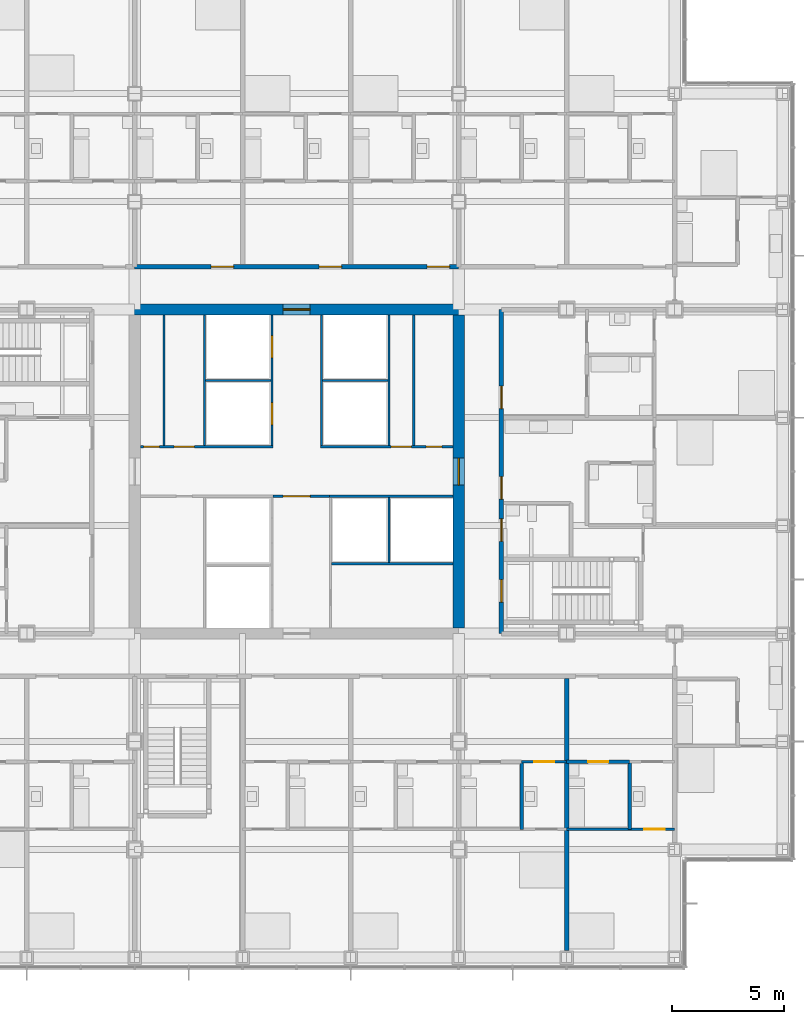
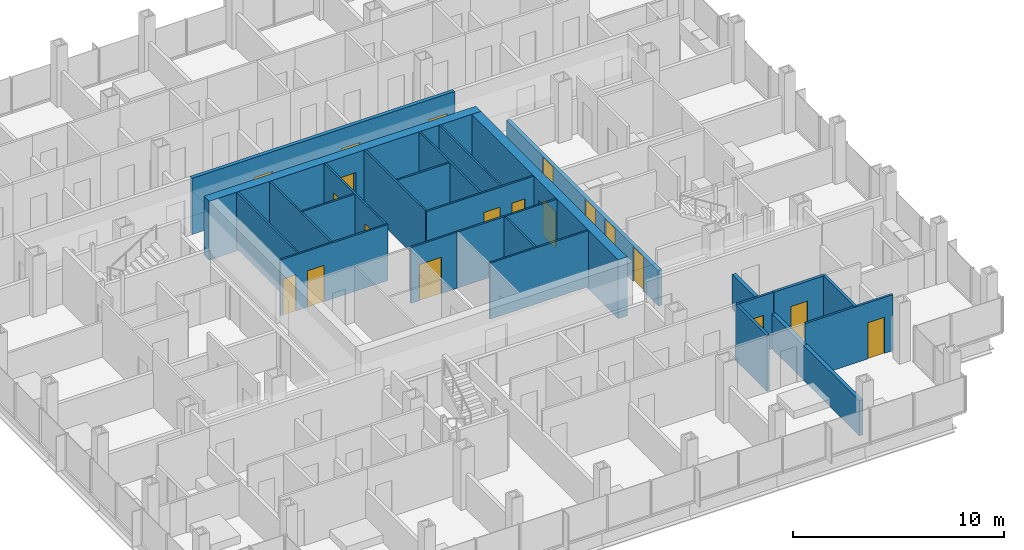
# One storey, part 16 of 22: 24 walls, 19 doors, 19 openings.
"""IFC4 building model written with IfcOpenShell, lengths in metres."""

import ifcopenshell
import ifcopenshell.guid

model = None  # the IFC model being written
_history = None  # IfcOwnerHistory: only IFC2X3 demands one
_inside = {}  # id of a spatial element -> (the spatial element, [elements in it])
_under = {}  # id of a project, library or spatial element -> (it, [spatial elements below it])
_declared = {}  # id of a project -> (the project, [libraries it declares])
_typed = {}  # id of a type object -> (the type object, [elements of that type])
_made_of = {}  # id of a material, layer set ... -> (it, [elements and type objects made of it])


def new_model(schema):
    """Start an empty IFC model of exactly this schema.

    Asked for "IFC4X3", IfcOpenShell would pick the latest addendum, in which some entities
    have other attributes; the version numbers below select the first issue.
    IFC2X3 requires an IfcOwnerHistory on every rooted entity: one is made here for all.
    """
    global model, _history
    if schema == "IFC4X3":
        model = ifcopenshell.file(schema_version=(4, 3, 0, 0))
    else:
        model = ifcopenshell.file(schema=schema)
    _inside.clear()
    _under.clear()
    _declared.clear()
    _typed.clear()
    _made_of.clear()
    _history = None
    if model.schema == "IFC2X3":
        org = make("IfcOrganization", Name="unknown")
        user = make(
            "IfcPersonAndOrganization",
            ThePerson=make("IfcPerson", FamilyName="unknown"),
            TheOrganization=org,
        )
        app = make(
            "IfcApplication",
            ApplicationDeveloper=org,
            Version="unknown",
            ApplicationFullName="unknown",
            ApplicationIdentifier="unknown",
        )
        _history = make(
            "IfcOwnerHistory",
            OwningUser=user,
            OwningApplication=app,
            ChangeAction="ADDED",
            CreationDate=0,
        )
    return model


def make(cls, **values):
    """One entity of the class cls with the attributes given. An attribute that is None is left unset."""
    return model.create_entity(
        cls, **{name: value for name, value in values.items() if value is not None}
    )


def rooted(cls, **values):
    """An entity with a GlobalId (a new one), such as an element, a storey or a relation."""
    return make(cls, GlobalId=ifcopenshell.guid.new(), OwnerHistory=_history, **values)


def si_unit(unit_type, name, prefix=None):
    """IfcSIUnit, for example si_unit("LENGTHUNIT", "METRE", prefix="MILLI")."""
    return make("IfcSIUnit", UnitType=unit_type, Prefix=prefix, Name=name)


def assignment(units):
    """IfcUnitAssignment: the units of a project."""
    return None if units is None else make("IfcUnitAssignment", Units=units)


def point(xyz):
    """IfcCartesianPoint."""
    return None if xyz is None else make("IfcCartesianPoint", Coordinates=xyz)


def direction(xyz):
    """IfcDirection."""
    return None if xyz is None else make("IfcDirection", DirectionRatios=xyz)


def frame(location, z_axis=None, x_axis=None):
    """IfcAxis2Placement3D, a coordinate frame: its origin and axes. An axis left out is left unset."""
    return make(
        "IfcAxis2Placement3D",
        Location=point(location),
        Axis=direction(z_axis),
        RefDirection=direction(x_axis),
    )


def frame_2d(location, x_axis=None):
    """IfcAxis2Placement2D, a coordinate frame in the plane: its origin and x axis."""
    return make(
        "IfcAxis2Placement2D", Location=point(location), RefDirection=direction(x_axis)
    )


def origin():
    """The frame at (0, 0, 0) with its axes left unset."""
    return frame((0.0, 0.0, 0.0))


def place(relative_to, where):
    """IfcLocalPlacement: puts the frame where relative to a parent placement (None: the world)."""
    return make(
        "IfcLocalPlacement", PlacementRelTo=relative_to, RelativePlacement=where
    )


def context(
    kind, dimensions, precision=None, world=None, true_north=None, identifier=None
):
    """IfcGeometricRepresentationContext, for example the 3D "Model" context."""
    return make(
        "IfcGeometricRepresentationContext",
        ContextIdentifier=identifier,
        ContextType=kind,
        CoordinateSpaceDimension=dimensions,
        Precision=precision,
        WorldCoordinateSystem=world,
        TrueNorth=true_north,
    )


def subcontext(parent, identifier, kind, view, scale=None):
    """IfcGeometricRepresentationSubContext, for example "Body" below "Model"."""
    return make(
        "IfcGeometricRepresentationSubContext",
        ContextIdentifier=identifier,
        ContextType=kind,
        ParentContext=parent,
        TargetScale=scale,
        TargetView=view,
    )


def project(units=None, contexts=None):
    """IfcProject with its units and contexts."""
    return rooted(
        "IfcProject",
        Name="project",
        RepresentationContexts=contexts,
        UnitsInContext=assignment(units),
    )


def spatial(cls, under=None, at=None, **own):
    """A site, building, storey or space (cls), placed at a placement, below another one or the project."""
    s = rooted(cls, ObjectPlacement=at, **own)
    if under is not None:
        _under.setdefault(under.id(), (under, []))[1].append(s)
    return s


def profile(cls, at=None, kind="AREA", **sizes):
    """A parametric profile (cls). Its sizes go by their IFC names, for example OverallWidth=200.0."""
    return make(cls, ProfileType=kind, Position=at, **sizes)


def rectangle(**sizes):
    """IfcRectangleProfileDef."""
    return profile("IfcRectangleProfileDef", **sizes)


def extrude(swept, where, along, depth):
    """IfcExtrudedAreaSolid: the profile swept, set in the frame where, extruded along a direction by depth."""
    return make(
        "IfcExtrudedAreaSolid",
        SweptArea=swept,
        Position=where,
        ExtrudedDirection=direction(along),
        Depth=depth,
    )


def shape(context_of_items, identifier, shape_type, items):
    """IfcShapeRepresentation: the items that make up one representation, for example the "Body"."""
    return make(
        "IfcShapeRepresentation",
        ContextOfItems=context_of_items,
        RepresentationIdentifier=identifier,
        RepresentationType=shape_type,
        Items=items,
    )


def material(Name=None, Category=None):
    """IfcMaterial."""
    return make("IfcMaterial", Name=Name, Category=Category)


def layer(
    of_material, thickness, ventilated=None, Name=None, Category=None, Priority=None
):
    """IfcMaterialLayer: one layer of a wall or slab, of a material (None: an air gap)."""
    return make(
        "IfcMaterialLayer",
        Material=of_material,
        LayerThickness=thickness,
        IsVentilated=ventilated,
        Name=Name,
        Category=Category,
        Priority=Priority,
    )


def layer_set(layers, Name=None):
    """IfcMaterialLayerSet."""
    return make("IfcMaterialLayerSet", MaterialLayers=layers, LayerSetName=Name)


def made_of(thing, what):
    """Note that an element or type object is made of a material, layer set ...; save() writes the relation."""
    if what is not None:
        _made_of.setdefault(what.id(), (what, []))[1].append(thing)
    return thing


def type_object(cls, material=None, **own):
    """A type object (cls), such as IfcWallType, which elements share."""
    return made_of(rooted(cls, **own), material)


def element(
    cls,
    number,
    at=None,
    inside=None,
    cuts=None,
    type_object=None,
    material=None,
    context=None,
    identifier="Body",
    shape_type=None,
    held_by="IfcProductDefinitionShape",
    body=None,
    shapes=None,
    **own,
):
    """One element of the class cls, such as IfcWall. Its Tag is "e" and its number.

    at: its placement. inside: the storey or other place that contains it. cuts: it is an
    opening in that element (IfcRelVoidsElement). A single representation is given by context,
    identifier, shape_type and body (its items); several are given by shapes. held_by: the class
    of the entity that holds the representations. save() writes the other relations.
    """
    e = rooted(cls, Tag="e%d" % number, ObjectPlacement=at, **own)
    if body is not None:
        shapes = [shape(context, identifier, shape_type, body)]
    if shapes is not None:
        e.Representation = make(held_by, Representations=shapes)
    if inside is not None:
        _inside.setdefault(inside.id(), (inside, []))[1].append(e)
    if cuts is not None:
        rooted(
            "IfcRelVoidsElement", RelatingBuildingElement=cuts, RelatedOpeningElement=e
        )
    if type_object is not None:
        _typed.setdefault(type_object.id(), (type_object, []))[1].append(e)
    return made_of(e, material)


def fill(opening, filler):
    """IfcRelFillsElement: the door or window that sits in an opening."""
    return rooted(
        "IfcRelFillsElement",
        RelatingOpeningElement=opening,
        RelatedBuildingElement=filler,
    )


def aggregate(whole, parts):
    """IfcRelAggregates: a whole, such as a stair, and the parts it consists of."""
    return rooted("IfcRelAggregates", RelatingObject=whole, RelatedObjects=parts)


def save(model, path):
    """Write the relations noted so far, then the file.

    IfcRelAggregates (storeys below a building ...), IfcRelContainedInSpatialStructure (elements
    in a storey), IfcRelDefinesByType, IfcRelAssociatesMaterial and IfcRelDeclares: one each for
    every whole, place, type object, material and project.
    """
    for whole, parts in _under.values():
        aggregate(whole, parts)
    for where, things in _inside.values():
        rooted(
            "IfcRelContainedInSpatialStructure",
            RelatedElements=things,
            RelatingStructure=where,
        )
    for kind, things in _typed.values():
        rooted("IfcRelDefinesByType", RelatedObjects=things, RelatingType=kind)
    for what, things in _made_of.values():
        rooted("IfcRelAssociatesMaterial", RelatedObjects=things, RelatingMaterial=what)
    for by, libraries in _declared.values():
        rooted("IfcRelDeclares", RelatingContext=by, RelatedDefinitions=libraries)
    model.write(path)


model = new_model("IFC4")

# Units and contexts
model_context = context("Model", 3, precision=1e-05, world=origin(), true_north=direction((0.0, 1.0)))
body_context = subcontext(model_context, "Body", "Model", "MODEL_VIEW")
ifc_project = project(units=[si_unit("LENGTHUNIT", "METRE"), si_unit("AREAUNIT", "SQUARE_METRE"), si_unit("VOLUMEUNIT", "CUBIC_METRE"), si_unit("PLANEANGLEUNIT", "RADIAN"), si_unit("MASSUNIT", "GRAM", prefix="KILO")], contexts=[model_context])

# Site, building, storey
site_placement = place(None, origin())
site = spatial("IfcSite", under=ifc_project, at=site_placement, CompositionType="ELEMENT")
building_placement = place(site_placement, origin())
building = spatial("IfcBuilding", under=site, at=building_placement, Name="Kvirike Care Tower", CompositionType="ELEMENT")
storey_placement = place(building_placement, frame((0.0, 0.0, 76.0)))
storey = spatial("IfcBuildingStorey", under=building, at=storey_placement, Name="L20", CompositionType="ELEMENT", Elevation=76.0)

# Walls
ifc_material_1 = material(Name="Moisture-resistant board partition", Category="gypsum")
ifc_layer_1 = layer(ifc_material_1, 0.14990234375)
ifc_layer_set_1 = layer_set([ifc_layer_1], Name="BATHROOM WALL 150")
wall_type_1 = type_object("IfcWallType", Name="BATHROOM WALL 150", PredefinedType="PARTITIONING", material=ifc_layer_set_1)
for number, where, z_axis, x_axis, name in (
    (1, (31.60009765625, 20.10009765625, 0.0), (0.0, 0.0, 1.0), (0.0, 1.0, 0.0), "Bathroom Wall 150 L20"),
    (2, (36.39990234375, 20.10009765625, 0.0), (0.0, 0.0, 1.0), (0.0, 1.0, 0.0), "Bathroom Wall 150 L20"),
):
    element("IfcWall", number, at=place(storey_placement, frame(where, z_axis=z_axis, x_axis=x_axis)), inside=storey, type_object=wall_type_1, Name=name, PredefinedType="PARTITIONING", context=body_context, shape_type="SweptSolid", body=[
        extrude(rectangle(XDim=3.0, YDim=0.14990234375, at=frame_2d((1.5, 0.0))), origin(), (0.0, 0.0, 1.0), 3.25),
    ])

# Wall, opening, door
wall_1_placement = place(storey_placement, frame((33.60009765625, 23.10009765625, 0.0), z_axis=(0.0, 0.0, 1.0), x_axis=(1.0, 0.0, 0.0)))
wall_1 = element("IfcWall", 3, at=wall_1_placement, inside=storey, type_object=wall_type_1, Name="Bathroom Wall 150 L20", PredefinedType="PARTITIONING", context=body_context, shape_type="SweptSolid", body=[
    extrude(rectangle(XDim=2.7998046875, YDim=0.14990234375, at=frame_2d((1.39990234375, 0.0))), origin(), (0.0, 0.0, 1.0), 3.25),
])
opening_1_placement = place(wall_1_placement, frame((0.949951171875, 0.0, 0.0)))
opening_1 = element("IfcOpeningElement", 4, at=opening_1_placement, cuts=wall_1, Name="Opening 20-058", PredefinedType="OPENING", context=body_context, shape_type="SweptSolid", body=[
    extrude(rectangle(XDim=0.89990234375, YDim=2.10009765625, at=frame_2d((0.449951171875, 1.050048828125))), frame((0.0, 0.08544921875, 0.0), z_axis=(0.0, -1.0, 0.0), x_axis=(1.0, 0.0, 0.0)), (0.0, 0.0, 1.0), 0.1708984375),
])
ifc_material_2 = material(Name="Timber door set", Category="wood")
door_type_1 = type_object("IfcDoorType", Name="BATHROOM DOOR 900", OperationType="SINGLE_SWING_RIGHT", PredefinedType="DOOR", material=ifc_material_2)
door_1_placement = place(opening_1_placement, frame((0.89990234375, 0.0, 0.0), z_axis=(0.0, 0.0, 1.0), x_axis=(-1.0, 0.0, 0.0)))
door_1 = element("IfcDoor", 5, at=door_1_placement, inside=storey, type_object=door_type_1, Name="Bathroom door", OperationType="SINGLE_SWING_LEFT", OverallHeight=2.10009765625, OverallWidth=0.89990234375, PredefinedType="DOOR", context=body_context, shape_type="SweptSolid", body=[
    extrude(rectangle(XDim=0.89990234375, YDim=2.10009765625, at=frame_2d((0.449951171875, 1.050048828125))), frame((0.0, 0.02197265625, 0.0), z_axis=(0.0, -1.0, 0.0), x_axis=(1.0, 0.0, 0.0)), (0.0, 0.0, 1.0), 0.0439453125),
])
fill(opening_1, door_1)

ifc_material_3 = material(Name="Concrete C60/75", Category="concrete")
ifc_layer_2 = layer(ifc_material_3, 0.5)
ifc_layer_set_2 = layer_set([ifc_layer_2], Name="CORE WALL 500 C60-75")
wall_type_2 = type_object("IfcWallType", Name="CORE WALL 500 C60-75", PredefinedType="SHEAR", material=ifc_layer_set_2)
wall_2_placement = place(storey_placement, frame((29.050048828125, 43.199951171875, -0.169921875), z_axis=(0.0, 0.0, 1.0), x_axis=(-1.0, 0.0, 0.0)))
wall_2 = element("IfcWall", 6, at=wall_2_placement, inside=storey, type_object=wall_type_2, Name="Core wall N L20", PredefinedType="SHEAR", context=body_context, shape_type="SweptSolid", body=[
    extrude(rectangle(XDim=14.900146484375, YDim=0.5, at=frame_2d((7.4501953125, 0.0))), origin(), (0.0, 0.0, 1.0), 3.419921875),
])
opening_2_placement = place(wall_2_placement, frame((6.85009765625, 0.0, 0.169921875)))
opening_2 = element("IfcOpeningElement", 7, at=opening_2_placement, cuts=wall_2, Name="Opening 20-101", PredefinedType="OPENING", context=body_context, shape_type="SweptSolid", body=[
    extrude(rectangle(XDim=1.199951171875, YDim=2.10009765625, at=frame_2d((0.60009765625, 1.050048828125))), frame((0.0, 0.260498046875, 0.0), z_axis=(0.0, -1.0, 0.0), x_axis=(1.0, 0.0, 0.0)), (0.0, 0.0, 1.0), 0.52099609375),
])
ifc_material_4 = material(Name="Timber door set", Category="wood")
door_type_2 = type_object("IfcDoorType", Name="CORE DOOR 1200", OperationType="SINGLE_SWING_LEFT", PredefinedType="DOOR", material=ifc_material_4)
door_2_placement = place(opening_2_placement, origin())
door_2 = element("IfcDoor", 8, at=door_2_placement, inside=storey, type_object=door_type_2, Name="Core door N L20", OperationType="SINGLE_SWING_LEFT", OverallHeight=2.10009765625, OverallWidth=1.199951171875, PredefinedType="DOOR", context=body_context, shape_type="SweptSolid", body=[
    extrude(rectangle(XDim=1.199951171875, YDim=2.10009765625, at=frame_2d((0.60009765625, 1.050048828125))), frame((0.0, 0.02685546875, 0.0), z_axis=(0.0, -1.0, 0.0), x_axis=(1.0, 0.0, 0.0)), (0.0, 0.0, 1.0), 0.053955078125),
])
fill(opening_2, door_2)

wall_3_placement = place(storey_placement, frame((28.800048828125, 29.050048828125, -0.169921875), z_axis=(0.0, 0.0, 1.0), x_axis=(0.0, 1.0, 0.0)))
wall_3 = element("IfcWall", 9, at=wall_3_placement, inside=storey, type_object=wall_type_2, Name="Core wall E L20", PredefinedType="SHEAR", context=body_context, shape_type="SweptSolid", body=[
    extrude(rectangle(XDim=13.89990234375, YDim=0.5, at=frame_2d((6.949951171875, 0.0))), origin(), (0.0, 0.0, 1.0), 3.419921875),
])
opening_3_placement = place(wall_3_placement, frame((6.35009765625, 0.0, 0.169921875)))
opening_3 = element("IfcOpeningElement", 10, at=opening_3_placement, cuts=wall_3, Name="Opening 20-100", PredefinedType="OPENING", context=body_context, shape_type="SweptSolid", body=[
    extrude(rectangle(XDim=1.199951171875, YDim=2.10009765625, at=frame_2d((0.60009765625, 1.050048828125))), frame((0.0, 0.260498046875, 0.0), z_axis=(0.0, -1.0, 0.0), x_axis=(1.0, 0.0, 0.0)), (0.0, 0.0, 1.0), 0.52099609375),
])
door_3_placement = place(opening_3_placement, origin())
door_3 = element("IfcDoor", 11, at=door_3_placement, inside=storey, type_object=door_type_2, Name="Core door E L20", OperationType="SINGLE_SWING_LEFT", OverallHeight=2.10009765625, OverallWidth=1.199951171875, PredefinedType="DOOR", context=body_context, shape_type="SweptSolid", body=[
    extrude(rectangle(XDim=1.199951171875, YDim=2.10009765625, at=frame_2d((0.60009765625, 1.050048828125))), frame((0.0, 0.02685546875, 0.0), z_axis=(0.0, -1.0, 0.0), x_axis=(1.0, 0.0, 0.0)), (0.0, 0.0, 1.0), 0.053955078125),
])
fill(opening_3, door_3)

# Wall, openings, doors
ifc_material_5 = material(Name="Plasterboard corridor wall", Category="gypsum")
ifc_layer_3 = layer(ifc_material_5, 0.199951171875)
ifc_layer_set_3 = layer_set([ifc_layer_3], Name="CORRIDOR WALL 200")
wall_type_3 = type_object("IfcWallType", Name="CORRIDOR WALL 200", PredefinedType="PARTITIONING", material=ifc_layer_set_3)
wall_4_placement = place(storey_placement, frame((28.800048828125, 45.10009765625, 0.0), z_axis=(0.0, 0.0, 1.0), x_axis=(-1.0, 0.0, 0.0)))
wall_4 = element("IfcWall", 12, at=wall_4_placement, inside=storey, type_object=wall_type_3, Name="Corridor Wall 200 L20", PredefinedType="PARTITIONING", context=body_context, shape_type="SweptSolid", body=[
    extrude(rectangle(XDim=14.400146484375, YDim=0.199951171875, at=frame_2d((7.2001953125, 0.0))), origin(), (0.0, 0.0, 1.0), 3.25),
])
opening_4_placement = place(wall_4_placement, frame((0.39990234375, 0.0, 0.0)))
opening_4 = element("IfcOpeningElement", 13, at=opening_4_placement, cuts=wall_4, Name="Opening 20-052", PredefinedType="OPENING", context=body_context, shape_type="SweptSolid", body=[
    extrude(rectangle(XDim=1.0, YDim=2.10009765625, at=frame_2d((0.5, 1.050048828125))), frame((0.0, 0.110595703125, 0.0), z_axis=(0.0, -1.0, 0.0), x_axis=(1.0, 0.0, 0.0)), (0.0, 0.0, 1.0), 0.220947265625),
])
opening_5_placement = place(wall_4_placement, frame((5.199951171875, 0.0, 0.0)))
opening_5 = element("IfcOpeningElement", 14, at=opening_5_placement, cuts=wall_4, Name="Opening 20-053", PredefinedType="OPENING", context=body_context, shape_type="SweptSolid", body=[
    extrude(rectangle(XDim=1.0, YDim=2.10009765625, at=frame_2d((0.5, 1.050048828125))), frame((0.0, 0.110595703125, 0.0), z_axis=(0.0, -1.0, 0.0), x_axis=(1.0, 0.0, 0.0)), (0.0, 0.0, 1.0), 0.220947265625),
])
opening_6_placement = place(wall_4_placement, frame((10.0, 0.0, 0.0)))
opening_6 = element("IfcOpeningElement", 15, at=opening_6_placement, cuts=wall_4, Name="Opening 20-054", PredefinedType="OPENING", context=body_context, shape_type="SweptSolid", body=[
    extrude(rectangle(XDim=1.0, YDim=2.10009765625, at=frame_2d((0.5, 1.050048828125))), frame((0.0, 0.110595703125, 0.0), z_axis=(0.0, -1.0, 0.0), x_axis=(1.0, 0.0, 0.0)), (0.0, 0.0, 1.0), 0.220947265625),
])
ifc_material_6 = material(Name="Timber door set", Category="wood")
door_type_3 = type_object("IfcDoorType", Name="FLAT ENTRANCE DOOR 1000", OperationType="SINGLE_SWING_LEFT", PredefinedType="DOOR", material=ifc_material_6)
door_4_placement = place(opening_4_placement, frame((1.0, 0.0, 0.0), z_axis=(0.0, 0.0, 1.0), x_axis=(-1.0, 0.0, 0.0)))
door_4 = element("IfcDoor", 16, at=door_4_placement, inside=storey, type_object=door_type_3, Name="Studio apartment entrance", OperationType="SINGLE_SWING_LEFT", OverallHeight=2.10009765625, OverallWidth=1.0, PredefinedType="DOOR", context=body_context, shape_type="SweptSolid", body=[
    extrude(rectangle(XDim=1.0, YDim=2.10009765625, at=frame_2d((0.5, 1.050048828125))), frame((0.0, 0.02685546875, 0.0), z_axis=(0.0, -1.0, 0.0), x_axis=(1.0, 0.0, 0.0)), (0.0, 0.0, 1.0), 0.053955078125),
])
fill(opening_4, door_4)
door_5_placement = place(opening_5_placement, frame((1.0, 0.0, 0.0), z_axis=(0.0, 0.0, 1.0), x_axis=(-1.0, 0.0, 0.0)))
door_5 = element("IfcDoor", 17, at=door_5_placement, inside=storey, type_object=door_type_3, Name="Studio apartment entrance", OperationType="SINGLE_SWING_RIGHT", OverallHeight=2.10009765625, OverallWidth=1.0, PredefinedType="DOOR", context=body_context, shape_type="SweptSolid", body=[
    extrude(rectangle(XDim=1.0, YDim=2.10009765625, at=frame_2d((0.5, 1.050048828125))), frame((0.0, 0.02685546875, 0.0), z_axis=(0.0, -1.0, 0.0), x_axis=(1.0, 0.0, 0.0)), (0.0, 0.0, 1.0), 0.053955078125),
])
fill(opening_5, door_5)
door_6_placement = place(opening_6_placement, frame((1.0, 0.0, 0.0), z_axis=(0.0, 0.0, 1.0), x_axis=(-1.0, 0.0, 0.0)))
door_6 = element("IfcDoor", 18, at=door_6_placement, inside=storey, type_object=door_type_3, Name="Studio apartment entrance", OperationType="SINGLE_SWING_LEFT", OverallHeight=2.10009765625, OverallWidth=1.0, PredefinedType="DOOR", context=body_context, shape_type="SweptSolid", body=[
    extrude(rectangle(XDim=1.0, YDim=2.10009765625, at=frame_2d((0.5, 1.050048828125))), frame((0.0, 0.02685546875, 0.0), z_axis=(0.0, -1.0, 0.0), x_axis=(1.0, 0.0, 0.0)), (0.0, 0.0, 1.0), 0.053955078125),
])
fill(opening_6, door_6)

wall_5_placement = place(storey_placement, frame((30.699951171875, 28.800048828125, 0.0), z_axis=(0.0, 0.0, 1.0), x_axis=(0.0, 1.0, 0.0)))
wall_5 = element("IfcWall", 19, at=wall_5_placement, inside=storey, type_object=wall_type_3, Name="Corridor Wall 200 L20", PredefinedType="PARTITIONING", context=body_context, shape_type="SweptSolid", body=[
    extrude(rectangle(XDim=14.39990234375, YDim=0.199951171875, at=frame_2d((7.199951171875, 0.0))), origin(), (0.0, 0.0, 1.0), 2.0400390625),
])
opening_7_placement = place(wall_5_placement, frame((1.39990234375, 0.0, 0.0)))
opening_7 = element("IfcOpeningElement", 20, at=opening_7_placement, cuts=wall_5, Name="Opening 20-072", PredefinedType="OPENING", context=body_context, shape_type="SweptSolid", body=[
    extrude(rectangle(XDim=1.0, YDim=2.0, at=frame_2d((0.5, 1.0))), frame((0.0, 0.110595703125, 0.0), z_axis=(0.0, -1.0, 0.0), x_axis=(1.0, 0.0, 0.0)), (0.0, 0.0, 1.0), 0.220947265625),
])
opening_8_placement = place(wall_5_placement, frame((4.10009765625, 0.0, 0.0)))
opening_8 = element("IfcOpeningElement", 21, at=opening_8_placement, cuts=wall_5, Name="Opening 20-073", PredefinedType="OPENING", context=body_context, shape_type="SweptSolid", body=[
    extrude(rectangle(XDim=1.0, YDim=2.0, at=frame_2d((0.5, 1.0))), frame((0.0, 0.110595703125, 0.0), z_axis=(0.0, -1.0, 0.0), x_axis=(1.0, 0.0, 0.0)), (0.0, 0.0, 1.0), 0.220947265625),
])
opening_9_placement = place(wall_5_placement, frame((5.97509765625, 0.0, 0.0)))
opening_9 = element("IfcOpeningElement", 22, at=opening_9_placement, cuts=wall_5, Name="Opening 20-074", PredefinedType="OPENING", context=body_context, shape_type="SweptSolid", body=[
    extrude(rectangle(XDim=1.0, YDim=2.0, at=frame_2d((0.5, 1.0))), frame((0.0, 0.110595703125, 0.0), z_axis=(0.0, -1.0, 0.0), x_axis=(1.0, 0.0, 0.0)), (0.0, 0.0, 1.0), 0.220947265625),
])
opening_10_placement = place(wall_5_placement, frame((10.0, 0.0, 0.0)))
opening_10 = element("IfcOpeningElement", 23, at=opening_10_placement, cuts=wall_5, Name="Opening 20-075", PredefinedType="OPENING", context=body_context, shape_type="SweptSolid", body=[
    extrude(rectangle(XDim=1.0, YDim=2.0, at=frame_2d((0.5, 1.0))), frame((0.0, 0.110595703125, 0.0), z_axis=(0.0, -1.0, 0.0), x_axis=(1.0, 0.0, 0.0)), (0.0, 0.0, 1.0), 0.220947265625),
])
ifc_material_7 = material(Name="Timber door set", Category="wood")
door_type_4 = type_object("IfcDoorType", Name="FLAT ENTRANCE DOOR 1000 x 2000", OperationType="SINGLE_SWING_LEFT", PredefinedType="DOOR", material=ifc_material_7)
door_7_placement = place(opening_9_placement, frame((1.0, 0.0, 0.0), z_axis=(0.0, 0.0, 1.0), x_axis=(-1.0, 0.0, 0.0)))
door_7 = element("IfcDoor", 24, at=door_7_placement, inside=storey, type_object=door_type_4, Name="One-bedroom apartment entrance", OperationType="SINGLE_SWING_LEFT", OverallHeight=2.0, OverallWidth=1.0, PredefinedType="DOOR", context=body_context, shape_type="SweptSolid", body=[
    extrude(rectangle(XDim=1.0, YDim=2.0, at=frame_2d((0.5, 1.0))), frame((0.0, 0.02685546875, 0.0), z_axis=(0.0, -1.0, 0.0), x_axis=(1.0, 0.0, 0.0)), (0.0, 0.0, 1.0), 0.053955078125),
])
fill(opening_9, door_7)
door_8_placement = place(opening_10_placement, frame((1.0, 0.0, 0.0), z_axis=(0.0, 0.0, 1.0), x_axis=(-1.0, 0.0, 0.0)))
door_8 = element("IfcDoor", 25, at=door_8_placement, inside=storey, type_object=door_type_4, Name="Studio apartment entrance", OperationType="SINGLE_SWING_LEFT", OverallHeight=2.0, OverallWidth=1.0, PredefinedType="DOOR", context=body_context, shape_type="SweptSolid", body=[
    extrude(rectangle(XDim=1.0, YDim=2.0, at=frame_2d((0.5, 1.0))), frame((0.0, 0.02685546875, 0.0), z_axis=(0.0, -1.0, 0.0), x_axis=(1.0, 0.0, 0.0)), (0.0, 0.0, 1.0), 0.053955078125),
])
fill(opening_10, door_8)
ifc_material_8 = material(Name="Timber door set", Category="wood")
door_type_5 = type_object("IfcDoorType", Name="STAIR DOOR 1000 x 2000", OperationType="SINGLE_SWING_LEFT", PredefinedType="DOOR", material=ifc_material_8)
door_9_placement = place(opening_7_placement, frame((1.0, 0.0, 0.0), z_axis=(0.0, 0.0, 1.0), x_axis=(-1.0, 0.0, 0.0)))
door_9 = element("IfcDoor", 26, at=door_9_placement, inside=storey, type_object=door_type_5, Name="Stair 2 door", OperationType="SINGLE_SWING_RIGHT", OverallHeight=2.0, OverallWidth=1.0, PredefinedType="DOOR", context=body_context, shape_type="SweptSolid", body=[
    extrude(rectangle(XDim=1.0, YDim=2.0, at=frame_2d((0.5, 1.0))), frame((0.0, 0.031982421875, 0.0), z_axis=(0.0, -1.0, 0.0), x_axis=(1.0, 0.0, 0.0)), (0.0, 0.0, 1.0), 0.06396484375),
])
fill(opening_7, door_9)
ifc_material_9 = material(Name="Timber door set", Category="wood")
door_type_6 = type_object("IfcDoorType", Name="WC DOOR 1000 x 2000", OperationType="SINGLE_SWING_LEFT", PredefinedType="DOOR", material=ifc_material_9)
door_10_placement = place(opening_8_placement, frame((1.0, 0.0, 0.0), z_axis=(0.0, 0.0, 1.0), x_axis=(-1.0, 0.0, 0.0)))
door_10 = element("IfcDoor", 27, at=door_10_placement, inside=storey, type_object=door_type_6, Name="Accessible WC door", OperationType="SINGLE_SWING_LEFT", OverallHeight=2.0, OverallWidth=1.0, PredefinedType="DOOR", context=body_context, shape_type="SweptSolid", body=[
    extrude(rectangle(XDim=1.0, YDim=2.0, at=frame_2d((0.5, 1.0))), frame((0.0, 0.02685546875, 0.0), z_axis=(0.0, -1.0, 0.0), x_axis=(1.0, 0.0, 0.0)), (0.0, 0.0, 1.0), 0.053955078125),
])
fill(opening_8, door_10)

# Wall, opening, door
ifc_material_10 = material(Name="Plasterboard partition", Category="gypsum")
ifc_layer_4 = layer(ifc_material_10, 0.1201171875)
ifc_layer_set_4 = layer_set([ifc_layer_4], Name="PARTITION 120")
wall_type_4 = type_object("IfcWallType", Name="PARTITION 120", PredefinedType="PARTITIONING", material=ifc_layer_set_4)
wall_6_placement = place(storey_placement, frame((31.60009765625, 23.10009765625, 0.0), z_axis=(0.0, 0.0, 1.0), x_axis=(1.0, 0.0, 0.0)))
wall_6 = element("IfcWall", 28, at=wall_6_placement, inside=storey, type_object=wall_type_4, Name="Partition 120 L20", PredefinedType="PARTITIONING", context=body_context, shape_type="SweptSolid", body=[
    extrude(rectangle(XDim=2.0, YDim=0.1201171875, at=frame_2d((1.0, 0.0))), origin(), (0.0, 0.0, 1.0), 3.25),
])
opening_11_placement = place(wall_6_placement, frame((0.550048828125, 0.0, 0.0)))
opening_11 = element("IfcOpeningElement", 29, at=opening_11_placement, cuts=wall_6, Name="Opening 20-056", PredefinedType="OPENING", context=body_context, shape_type="SweptSolid", body=[
    extrude(rectangle(XDim=0.89990234375, YDim=2.10009765625, at=frame_2d((0.449951171875, 1.050048828125))), frame((0.0, 0.070556640625, 0.0), z_axis=(0.0, -1.0, 0.0), x_axis=(1.0, 0.0, 0.0)), (0.0, 0.0, 1.0), 0.14111328125),
])
ifc_material_11 = material(Name="Timber door set", Category="wood")
door_type_7 = type_object("IfcDoorType", Name="INTERNAL DOOR 900", OperationType="SINGLE_SWING_LEFT", PredefinedType="DOOR", material=ifc_material_11)
door_11_placement = place(opening_11_placement, frame((0.89990234375, 0.0, 0.0), z_axis=(0.0, 0.0, 1.0), x_axis=(-1.0, 0.0, 0.0)))
door_11 = element("IfcDoor", 30, at=door_11_placement, inside=storey, type_object=door_type_7, Name="Kitchen door", OperationType="SINGLE_SWING_LEFT", OverallHeight=2.10009765625, OverallWidth=0.89990234375, PredefinedType="DOOR", context=body_context, shape_type="SweptSolid", body=[
    extrude(rectangle(XDim=0.89990234375, YDim=2.10009765625, at=frame_2d((0.449951171875, 1.050048828125))), frame((0.0, 0.02197265625, 0.0), z_axis=(0.0, -1.0, 0.0), x_axis=(1.0, 0.0, 0.0)), (0.0, 0.0, 1.0), 0.0439453125),
])
fill(opening_11, door_11)

wall_7_placement = place(storey_placement, frame((33.60009765625, 20.10009765625, 0.0), z_axis=(0.0, 0.0, 1.0), x_axis=(1.0, 0.0, 0.0)))
wall_7 = element("IfcWall", 31, at=wall_7_placement, inside=storey, type_object=wall_type_4, Name="Partition 120 L20", PredefinedType="PARTITIONING", context=body_context, shape_type="SweptSolid", body=[
    extrude(rectangle(XDim=4.7998046875, YDim=0.1201171875, at=frame_2d((2.39990234375, 0.0))), origin(), (0.0, 0.0, 1.0), 3.25),
])
opening_12_placement = place(wall_7_placement, frame((3.449951171875, 0.0, 0.0)))
opening_12 = element("IfcOpeningElement", 32, at=opening_12_placement, cuts=wall_7, Name="Opening 20-060", PredefinedType="OPENING", context=body_context, shape_type="SweptSolid", body=[
    extrude(rectangle(XDim=0.89990234375, YDim=2.10009765625, at=frame_2d((0.449951171875, 1.050048828125))), frame((0.0, 0.070556640625, 0.0), z_axis=(0.0, -1.0, 0.0), x_axis=(1.0, 0.0, 0.0)), (0.0, 0.0, 1.0), 0.14111328125),
])
door_12_placement = place(opening_12_placement, origin())
door_12 = element("IfcDoor", 33, at=door_12_placement, inside=storey, type_object=door_type_7, Name="Studio apartment living room door", OperationType="SINGLE_SWING_LEFT", OverallHeight=2.10009765625, OverallWidth=0.89990234375, PredefinedType="DOOR", context=body_context, shape_type="SweptSolid", body=[
    extrude(rectangle(XDim=0.89990234375, YDim=2.10009765625, at=frame_2d((0.449951171875, 1.050048828125))), frame((0.0, 0.02197265625, 0.0), z_axis=(0.0, -1.0, 0.0), x_axis=(1.0, 0.0, 0.0)), (0.0, 0.0, 1.0), 0.0439453125),
])
fill(opening_12, door_12)

# Walls
ifc_material_12 = material(Name="Plasterboard party wall", Category="gypsum")
ifc_layer_5 = layer(ifc_material_12, 0.199951171875)
ifc_layer_set_5 = layer_set([ifc_layer_5], Name="PARTY WALL 200")
wall_type_5 = type_object("IfcWallType", Name="PARTY WALL 200", PredefinedType="PARTITIONING", material=ifc_layer_set_5)
wall_8_placement = place(storey_placement, frame((33.60009765625, 14.719970703125, 0.0), z_axis=(0.0, 0.0, 1.0), x_axis=(0.0, 1.0, 0.0)))
element("IfcWall", 34, at=wall_8_placement, inside=storey, type_object=wall_type_5, Name="Party Wall 200 L20", PredefinedType="PARTITIONING", context=body_context, shape_type="SweptSolid", body=[
    extrude(rectangle(XDim=12.080078125, YDim=0.199951171875, at=frame_2d((6.0400390625, 0.0))), origin(), (0.0, 0.0, 1.0), 2.0400390625),
])
ifc_material_13 = material(Name="Gypsum shaft wall system", Category="gypsum")
ifc_layer_6 = layer(ifc_material_13, 0.10009765625)
ifc_layer_set_6 = layer_set([ifc_layer_6], Name="SHAFT WALL 100")
wall_type_6 = type_object("IfcWallType", Name="SHAFT WALL 100", PredefinedType="SOLIDWALL", material=ifc_layer_set_6)
for number, where, z_axis, x_axis, name in (
    (35, (15.699951171875, 37.14990234375, 0.0), (0.0, 0.0, 1.0), (0.0, 1.0, 0.0), "Shaft Wall 100 L20"),
    (36, (26.800048828125, 37.14990234375, 0.0), (0.0, 0.0, 1.0), (0.0, 1.0, 0.0), "Shaft Wall 100 L20"),
):
    element("IfcWall", number, at=place(storey_placement, frame(where, z_axis=z_axis, x_axis=x_axis)), inside=storey, type_object=wall_type_6, Name=name, PredefinedType="SOLIDWALL", context=body_context, shape_type="SweptSolid", body=[
        extrude(rectangle(XDim=5.800048828125, YDim=0.10009765625, at=frame_2d((2.89990234375, 0.0))), origin(), (0.0, 0.0, 1.0), 3.25),
    ])

# Wall, openings, doors
wall_9_placement = place(storey_placement, frame((20.5, 37.14990234375, 0.0), z_axis=(0.0, 0.0, 1.0), x_axis=(0.0, 1.0, 0.0)))
wall_9 = element("IfcWall", 37, at=wall_9_placement, inside=storey, type_object=wall_type_6, Name="Shaft Wall 100 L20", PredefinedType="SOLIDWALL", context=body_context, shape_type="SweptSolid", body=[
    extrude(rectangle(XDim=5.800048828125, YDim=0.10009765625, at=frame_2d((2.89990234375, 0.0))), origin(), (0.0, 0.0, 1.0), 3.25),
])
opening_13_placement = place(wall_9_placement, frame((0.925048828125, 0.0, 0.0)))
opening_13 = element("IfcOpeningElement", 38, at=opening_13_placement, cuts=wall_9, Name="Opening 20-089", PredefinedType="OPENING", context=body_context, shape_type="SweptSolid", body=[
    extrude(rectangle(XDim=1.0, YDim=2.10009765625, at=frame_2d((0.5, 1.050048828125))), frame((0.0, 0.060546875, 0.0), z_axis=(0.0, -1.0, 0.0), x_axis=(1.0, 0.0, 0.0)), (0.0, 0.0, 1.0), 0.12109375),
])
opening_14_placement = place(wall_9_placement, frame((3.89990234375, 0.0, 0.0)))
opening_14 = element("IfcOpeningElement", 39, at=opening_14_placement, cuts=wall_9, Name="Opening 20-090", PredefinedType="OPENING", context=body_context, shape_type="SweptSolid", body=[
    extrude(rectangle(XDim=1.0, YDim=2.10009765625, at=frame_2d((0.5, 1.050048828125))), frame((0.0, 0.060546875, 0.0), z_axis=(0.0, -1.0, 0.0), x_axis=(1.0, 0.0, 0.0)), (0.0, 0.0, 1.0), 0.12109375),
])
ifc_material_14 = material(Name="Aluminium door frame", Category="aluminium")
door_type_8 = type_object("IfcDoorType", Name="LIFT LANDING DOOR 1000", OperationType="SLIDING_TO_LEFT", PredefinedType="DOOR", material=ifc_material_14)
door_13_placement = place(opening_13_placement, origin())
door_13 = element("IfcDoor", 40, at=door_13_placement, inside=storey, type_object=door_type_8, Name="Lift P1 landing door", OperationType="SLIDING_TO_LEFT", OverallHeight=2.10009765625, OverallWidth=1.0, PredefinedType="DOOR", context=body_context, shape_type="SweptSolid", body=[
    extrude(rectangle(XDim=1.0, YDim=2.10009765625, at=frame_2d((0.5, 1.050048828125))), frame((0.0, 0.0498046875, 0.0), z_axis=(0.0, -1.0, 0.0), x_axis=(1.0, 0.0, 0.0)), (0.0, 0.0, 1.0), 0.099609375),
])
fill(opening_13, door_13)
door_14_placement = place(opening_14_placement, origin())
door_14 = element("IfcDoor", 41, at=door_14_placement, inside=storey, type_object=door_type_8, Name="Lift P2 landing door", OperationType="SLIDING_TO_LEFT", OverallHeight=2.10009765625, OverallWidth=1.0, PredefinedType="DOOR", context=body_context, shape_type="SweptSolid", body=[
    extrude(rectangle(XDim=1.0, YDim=2.10009765625, at=frame_2d((0.5, 1.050048828125))), frame((0.0, 0.0498046875, 0.0), z_axis=(0.0, -1.0, 0.0), x_axis=(1.0, 0.0, 0.0)), (0.0, 0.0, 1.0), 0.099609375),
])
fill(opening_14, door_14)

# Walls
wall_10_placement = place(storey_placement, frame((22.699951171875, 37.14990234375, 0.0), z_axis=(0.0, 0.0, 1.0), x_axis=(0.0, 1.0, 0.0)))
element("IfcWall", 42, at=wall_10_placement, inside=storey, type_object=wall_type_6, Name="Shaft Wall 100 L20", PredefinedType="SOLIDWALL", context=body_context, shape_type="SweptSolid", body=[
    extrude(rectangle(XDim=5.800048828125, YDim=0.10009765625, at=frame_2d((2.89990234375, 0.0))), origin(), (0.0, 0.0, 1.0), 3.25),
])
wall_11_placement = place(storey_placement, frame((23.050048828125, 34.89990234375, 0.0), z_axis=(0.0, 0.0, 1.0), x_axis=(1.0, 0.0, 0.0)))
element("IfcWall", 43, at=wall_11_placement, inside=storey, type_object=wall_type_6, Name="Shaft Wall 100 L20", PredefinedType="SOLIDWALL", context=body_context, shape_type="SweptSolid", body=[
    extrude(rectangle(XDim=5.5, YDim=0.10009765625, at=frame_2d((2.75, 0.0))), origin(), (0.0, 0.0, 1.0), 3.25),
])

# Wall, openings, doors
wall_12_placement = place(storey_placement, frame((14.64990234375, 37.10009765625, 0.0), z_axis=(0.0, 0.0, 1.0), x_axis=(1.0, 0.0, 0.0)))
wall_12 = element("IfcWall", 44, at=wall_12_placement, inside=storey, type_object=wall_type_6, Name="Shaft Wall 100 L20", PredefinedType="SOLIDWALL", context=body_context, shape_type="SweptSolid", body=[
    extrude(rectangle(XDim=5.900146484375, YDim=0.10009765625, at=frame_2d((2.9501953125, 0.0))), origin(), (0.0, 0.0, 1.0), 3.25),
])
opening_15_placement = place(wall_12_placement, frame((0.14990234375, 0.0, 0.0)))
opening_15 = element("IfcOpeningElement", 45, at=opening_15_placement, cuts=wall_12, Name="Opening 20-093", PredefinedType="OPENING", context=body_context, shape_type="SweptSolid", body=[
    extrude(rectangle(XDim=0.699951171875, YDim=2.10009765625, at=frame_2d((0.35009765625, 1.050048828125))), frame((0.0, 0.060546875, 0.0), z_axis=(0.0, -1.0, 0.0), x_axis=(1.0, 0.0, 0.0)), (0.0, 0.0, 1.0), 0.12109375),
])
opening_16_placement = place(wall_12_placement, frame((1.5, 0.0, 0.0)))
opening_16 = element("IfcOpeningElement", 46, at=opening_16_placement, cuts=wall_12, Name="Opening 20-094", PredefinedType="OPENING", context=body_context, shape_type="SweptSolid", body=[
    extrude(rectangle(XDim=0.89990234375, YDim=2.10009765625, at=frame_2d((0.449951171875, 1.050048828125))), frame((0.0, 0.060546875, 0.0), z_axis=(0.0, -1.0, 0.0), x_axis=(1.0, 0.0, 0.0)), (0.0, 0.0, 1.0), 0.12109375),
])
ifc_material_15 = material(Name="Timber door set", Category="wood")
door_type_9 = type_object("IfcDoorType", Name="RISER DOOR 700", OperationType="SINGLE_SWING_LEFT", PredefinedType="DOOR", material=ifc_material_15)
door_15_placement = place(opening_15_placement, origin())
door_15 = element("IfcDoor", 47, at=door_15_placement, inside=storey, type_object=door_type_9, Name="Riser door", OperationType="SINGLE_SWING_LEFT", OverallHeight=2.10009765625, OverallWidth=0.699951171875, PredefinedType="DOOR", context=body_context, shape_type="SweptSolid", body=[
    extrude(rectangle(XDim=0.699951171875, YDim=2.10009765625, at=frame_2d((0.35009765625, 1.050048828125))), frame((0.0, 0.02685546875, 0.0), z_axis=(0.0, -1.0, 0.0), x_axis=(1.0, 0.0, 0.0)), (0.0, 0.0, 1.0), 0.053955078125),
])
fill(opening_15, door_15)
ifc_material_16 = material(Name="Timber door set", Category="wood")
door_type_10 = type_object("IfcDoorType", Name="STORE DOOR 900", OperationType="SINGLE_SWING_LEFT", PredefinedType="DOOR", material=ifc_material_16)
door_16_placement = place(opening_16_placement, origin())
door_16 = element("IfcDoor", 48, at=door_16_placement, inside=storey, type_object=door_type_10, Name="Linen store door", OperationType="SINGLE_SWING_LEFT", OverallHeight=2.10009765625, OverallWidth=0.89990234375, PredefinedType="DOOR", context=body_context, shape_type="SweptSolid", body=[
    extrude(rectangle(XDim=0.89990234375, YDim=2.10009765625, at=frame_2d((0.449951171875, 1.050048828125))), frame((0.0, 0.02685546875, 0.0), z_axis=(0.0, -1.0, 0.0), x_axis=(1.0, 0.0, 0.0)), (0.0, 0.0, 1.0), 0.053955078125),
])
fill(opening_16, door_16)

wall_13_placement = place(storey_placement, frame((22.64990234375, 37.10009765625, 0.0), z_axis=(0.0, 0.0, 1.0), x_axis=(1.0, 0.0, 0.0)))
wall_13 = element("IfcWall", 49, at=wall_13_placement, inside=storey, type_object=wall_type_6, Name="Shaft Wall 100 L20", PredefinedType="SOLIDWALL", context=body_context, shape_type="SweptSolid", body=[
    extrude(rectangle(XDim=5.900146484375, YDim=0.10009765625, at=frame_2d((2.9501953125, 0.0))), origin(), (0.0, 0.0, 1.0), 3.25),
])
opening_17_placement = place(wall_13_placement, frame((3.14990234375, 0.0, 0.0)))
opening_17 = element("IfcOpeningElement", 50, at=opening_17_placement, cuts=wall_13, Name="Opening 20-095", PredefinedType="OPENING", context=body_context, shape_type="SweptSolid", body=[
    extrude(rectangle(XDim=0.89990234375, YDim=2.10009765625, at=frame_2d((0.449951171875, 1.050048828125))), frame((0.0, 0.060546875, 0.0), z_axis=(0.0, -1.0, 0.0), x_axis=(1.0, 0.0, 0.0)), (0.0, 0.0, 1.0), 0.12109375),
])
opening_18_placement = place(wall_13_placement, frame((4.699951171875, 0.0, 0.0)))
opening_18 = element("IfcOpeningElement", 51, at=opening_18_placement, cuts=wall_13, Name="Opening 20-096", PredefinedType="OPENING", context=body_context, shape_type="SweptSolid", body=[
    extrude(rectangle(XDim=0.699951171875, YDim=2.10009765625, at=frame_2d((0.35009765625, 1.050048828125))), frame((0.0, 0.060546875, 0.0), z_axis=(0.0, -1.0, 0.0), x_axis=(1.0, 0.0, 0.0)), (0.0, 0.0, 1.0), 0.12109375),
])
door_17_placement = place(opening_18_placement, origin())
door_17 = element("IfcDoor", 52, at=door_17_placement, inside=storey, type_object=door_type_9, Name="Riser door", OperationType="SINGLE_SWING_LEFT", OverallHeight=2.10009765625, OverallWidth=0.699951171875, PredefinedType="DOOR", context=body_context, shape_type="SweptSolid", body=[
    extrude(rectangle(XDim=0.699951171875, YDim=2.10009765625, at=frame_2d((0.35009765625, 1.050048828125))), frame((0.0, 0.02685546875, 0.0), z_axis=(0.0, -1.0, 0.0), x_axis=(1.0, 0.0, 0.0)), (0.0, 0.0, 1.0), 0.053955078125),
])
fill(opening_18, door_17)
door_18_placement = place(opening_17_placement, origin())
door_18 = element("IfcDoor", 53, at=door_18_placement, inside=storey, type_object=door_type_10, Name="IT room door", OperationType="SINGLE_SWING_RIGHT", OverallHeight=2.10009765625, OverallWidth=0.89990234375, PredefinedType="DOOR", context=body_context, shape_type="SweptSolid", body=[
    extrude(rectangle(XDim=0.89990234375, YDim=2.10009765625, at=frame_2d((0.449951171875, 1.050048828125))), frame((0.0, 0.02685546875, 0.0), z_axis=(0.0, -1.0, 0.0), x_axis=(1.0, 0.0, 0.0)), (0.0, 0.0, 1.0), 0.053955078125),
])
fill(opening_17, door_18)

# Wall, opening, door
wall_14_placement = place(storey_placement, frame((20.550048828125, 34.89990234375, 0.0), z_axis=(0.0, 0.0, 1.0), x_axis=(1.0, 0.0, 0.0)))
wall_14 = element("IfcWall", 54, at=wall_14_placement, inside=storey, type_object=wall_type_6, Name="Shaft Wall 100 L20", PredefinedType="SOLIDWALL", context=body_context, shape_type="SweptSolid", body=[
    extrude(rectangle(XDim=2.5, YDim=0.10009765625, at=frame_2d((1.25, 0.0))), origin(), (0.0, 0.0, 1.0), 3.25),
])
opening_19_placement = place(wall_14_placement, frame((0.449951171875, 0.0, 0.0)))
opening_19 = element("IfcOpeningElement", 55, at=opening_19_placement, cuts=wall_14, Name="Opening 20-097", PredefinedType="OPENING", context=body_context, shape_type="SweptSolid", body=[
    extrude(rectangle(XDim=1.199951171875, YDim=2.10009765625, at=frame_2d((0.60009765625, 1.050048828125))), frame((0.0, 0.060546875, 0.0), z_axis=(0.0, -1.0, 0.0), x_axis=(1.0, 0.0, 0.0)), (0.0, 0.0, 1.0), 0.12109375),
])
door_19_placement = place(opening_19_placement, frame((1.199951171875, 0.0, 0.0), z_axis=(0.0, 0.0, 1.0), x_axis=(-1.0, 0.0, 0.0)))
door_19 = element("IfcDoor", 56, at=door_19_placement, inside=storey, type_object=door_type_2, Name="Fire-fighting lobby door", OperationType="SINGLE_SWING_LEFT", OverallHeight=2.10009765625, OverallWidth=1.199951171875, PredefinedType="DOOR", context=body_context, shape_type="SweptSolid", body=[
    extrude(rectangle(XDim=1.199951171875, YDim=2.10009765625, at=frame_2d((0.60009765625, 1.050048828125))), frame((0.0, 0.02685546875, 0.0), z_axis=(0.0, -1.0, 0.0), x_axis=(1.0, 0.0, 0.0)), (0.0, 0.0, 1.0), 0.053955078125),
])
fill(opening_19, door_19)

# Walls
wall_15_placement = place(storey_placement, frame((17.5, 37.14990234375, 0.0), z_axis=(0.0, 0.0, 1.0), x_axis=(0.0, 1.0, 0.0)))
element("IfcWall", 57, at=wall_15_placement, inside=storey, type_object=wall_type_6, Name="Shaft Wall 100 L20", PredefinedType="SOLIDWALL", context=body_context, shape_type="SweptSolid", body=[
    extrude(rectangle(XDim=5.800048828125, YDim=0.10009765625, at=frame_2d((2.89990234375, 0.0))), origin(), (0.0, 0.0, 1.0), 3.25),
])
for number, where, z_axis, x_axis, name in (
    (58, (17.550048828125, 40.050048828125, 0.0), (0.0, 0.0, 1.0), (1.0, 0.0, 0.0), "Shaft Wall 100 L20"),
    (59, (22.75, 40.050048828125, 0.0), (0.0, 0.0, 1.0), (1.0, 0.0, 0.0), "Shaft Wall 100 L20"),
):
    element("IfcWall", number, at=place(storey_placement, frame(where, z_axis=z_axis, x_axis=x_axis)), inside=storey, type_object=wall_type_6, Name=name, PredefinedType="SOLIDWALL", context=body_context, shape_type="SweptSolid", body=[
        extrude(rectangle(XDim=2.89990234375, YDim=0.10009765625, at=frame_2d((1.449951171875, 0.0))), origin(), (0.0, 0.0, 1.0), 3.25),
    ])
wall_16_placement = place(storey_placement, frame((25.699951171875, 37.14990234375, 0.0), z_axis=(0.0, 0.0, 1.0), x_axis=(0.0, 1.0, 0.0)))
element("IfcWall", 60, at=wall_16_placement, inside=storey, type_object=wall_type_6, Name="Shaft Wall 100 L20", PredefinedType="SOLIDWALL", context=body_context, shape_type="SweptSolid", body=[
    extrude(rectangle(XDim=5.800048828125, YDim=0.10009765625, at=frame_2d((2.89990234375, 0.0))), origin(), (0.0, 0.0, 1.0), 3.25),
])
wall_17_placement = place(storey_placement, frame((25.699951171875, 31.949951171875, 0.0), z_axis=(0.0, 0.0, 1.0), x_axis=(0.0, 1.0, 0.0)))
element("IfcWall", 61, at=wall_17_placement, inside=storey, type_object=wall_type_6, Name="Shaft Wall 100 L20", PredefinedType="SOLIDWALL", context=body_context, shape_type="SweptSolid", body=[
    extrude(rectangle(XDim=2.900146484375, YDim=0.10009765625, at=frame_2d((1.4501953125, 0.0))), origin(), (0.0, 0.0, 1.0), 3.25),
])
wall_18_placement = place(storey_placement, frame((23.14990234375, 31.89990234375, 0.0), z_axis=(0.0, 0.0, 1.0), x_axis=(1.0, 0.0, 0.0)))
element("IfcWall", 62, at=wall_18_placement, inside=storey, type_object=wall_type_6, Name="Shaft Wall 100 L20", PredefinedType="SOLIDWALL", context=body_context, shape_type="SweptSolid", body=[
    extrude(rectangle(XDim=5.400146484375, YDim=0.10009765625, at=frame_2d((2.7001953125, 0.0))), origin(), (0.0, 0.0, 1.0), 3.25),
])

save(model, "model.ifc")
